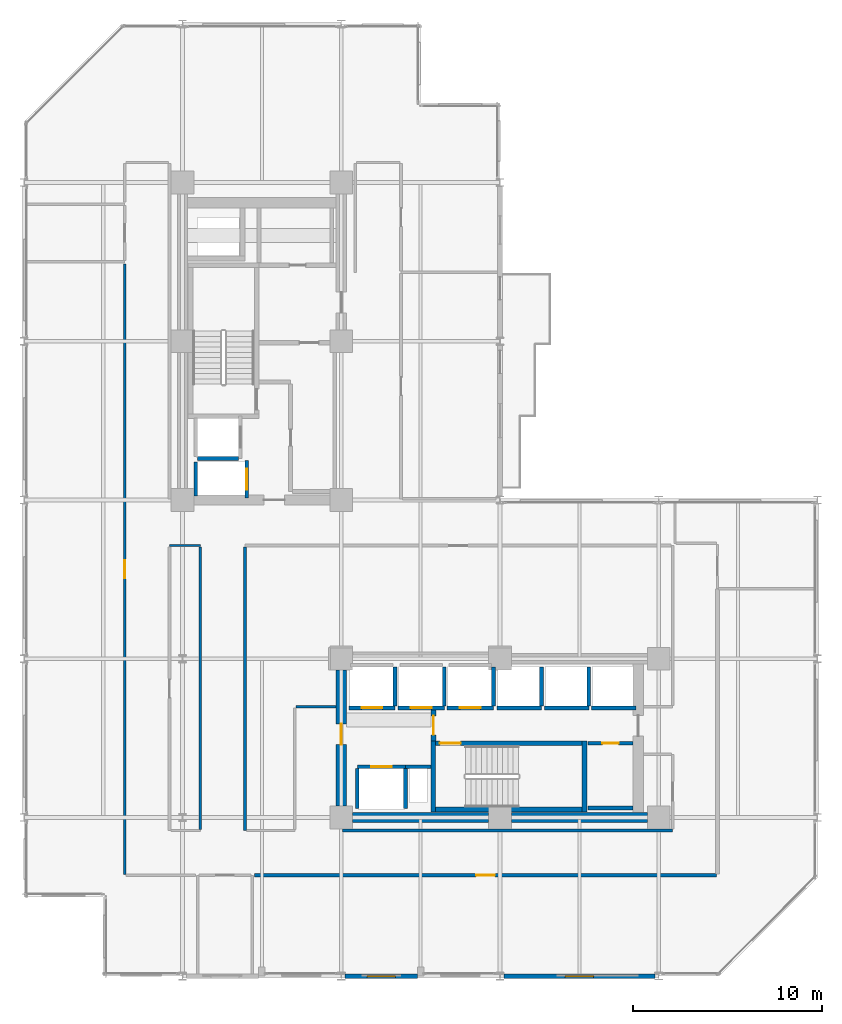
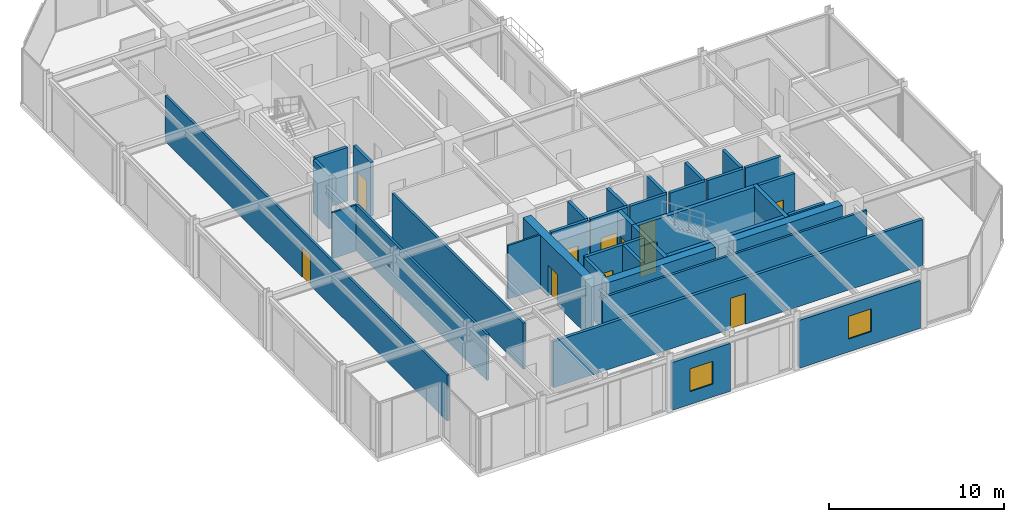
# One storey, part 24 of 29: 37 walls, 11 doors, 2 windows, 13 openings.
"""IFC4 building model written with IfcOpenShell, lengths in metres."""

import ifcopenshell
import ifcopenshell.guid

model = None  # the IFC model being written
_history = None  # IfcOwnerHistory: only IFC2X3 demands one
_inside = {}  # id of a spatial element -> (the spatial element, [elements in it])
_under = {}  # id of a project, library or spatial element -> (it, [spatial elements below it])
_declared = {}  # id of a project -> (the project, [libraries it declares])
_typed = {}  # id of a type object -> (the type object, [elements of that type])
_made_of = {}  # id of a material, layer set ... -> (it, [elements and type objects made of it])


def new_model(schema):
    """Start an empty IFC model of exactly this schema.

    Asked for "IFC4X3", IfcOpenShell would pick the latest addendum, in which some entities
    have other attributes; the version numbers below select the first issue.
    IFC2X3 requires an IfcOwnerHistory on every rooted entity: one is made here for all.
    """
    global model, _history
    if schema == "IFC4X3":
        model = ifcopenshell.file(schema_version=(4, 3, 0, 0))
    else:
        model = ifcopenshell.file(schema=schema)
    _inside.clear()
    _under.clear()
    _declared.clear()
    _typed.clear()
    _made_of.clear()
    _history = None
    if model.schema == "IFC2X3":
        org = make("IfcOrganization", Name="unknown")
        user = make(
            "IfcPersonAndOrganization",
            ThePerson=make("IfcPerson", FamilyName="unknown"),
            TheOrganization=org,
        )
        app = make(
            "IfcApplication",
            ApplicationDeveloper=org,
            Version="unknown",
            ApplicationFullName="unknown",
            ApplicationIdentifier="unknown",
        )
        _history = make(
            "IfcOwnerHistory",
            OwningUser=user,
            OwningApplication=app,
            ChangeAction="ADDED",
            CreationDate=0,
        )
    return model


def make(cls, **values):
    """One entity of the class cls with the attributes given. An attribute that is None is left unset."""
    return model.create_entity(
        cls, **{name: value for name, value in values.items() if value is not None}
    )


def rooted(cls, **values):
    """An entity with a GlobalId (a new one), such as an element, a storey or a relation."""
    return make(cls, GlobalId=ifcopenshell.guid.new(), OwnerHistory=_history, **values)


def si_unit(unit_type, name, prefix=None):
    """IfcSIUnit, for example si_unit("LENGTHUNIT", "METRE", prefix="MILLI")."""
    return make("IfcSIUnit", UnitType=unit_type, Prefix=prefix, Name=name)


def assignment(units):
    """IfcUnitAssignment: the units of a project."""
    return None if units is None else make("IfcUnitAssignment", Units=units)


def point(xyz):
    """IfcCartesianPoint."""
    return None if xyz is None else make("IfcCartesianPoint", Coordinates=xyz)


def direction(xyz):
    """IfcDirection."""
    return None if xyz is None else make("IfcDirection", DirectionRatios=xyz)


def frame(location, z_axis=None, x_axis=None):
    """IfcAxis2Placement3D, a coordinate frame: its origin and axes. An axis left out is left unset."""
    return make(
        "IfcAxis2Placement3D",
        Location=point(location),
        Axis=direction(z_axis),
        RefDirection=direction(x_axis),
    )


def frame_2d(location, x_axis=None):
    """IfcAxis2Placement2D, a coordinate frame in the plane: its origin and x axis."""
    return make(
        "IfcAxis2Placement2D", Location=point(location), RefDirection=direction(x_axis)
    )


def origin():
    """The frame at (0, 0, 0) with its axes left unset."""
    return frame((0.0, 0.0, 0.0))


def place(relative_to, where):
    """IfcLocalPlacement: puts the frame where relative to a parent placement (None: the world)."""
    return make(
        "IfcLocalPlacement", PlacementRelTo=relative_to, RelativePlacement=where
    )


def context(
    kind, dimensions, precision=None, world=None, true_north=None, identifier=None
):
    """IfcGeometricRepresentationContext, for example the 3D "Model" context."""
    return make(
        "IfcGeometricRepresentationContext",
        ContextIdentifier=identifier,
        ContextType=kind,
        CoordinateSpaceDimension=dimensions,
        Precision=precision,
        WorldCoordinateSystem=world,
        TrueNorth=true_north,
    )


def subcontext(parent, identifier, kind, view, scale=None):
    """IfcGeometricRepresentationSubContext, for example "Body" below "Model"."""
    return make(
        "IfcGeometricRepresentationSubContext",
        ContextIdentifier=identifier,
        ContextType=kind,
        ParentContext=parent,
        TargetScale=scale,
        TargetView=view,
    )


def project(units=None, contexts=None):
    """IfcProject with its units and contexts."""
    return rooted(
        "IfcProject",
        Name="project",
        RepresentationContexts=contexts,
        UnitsInContext=assignment(units),
    )


def spatial(cls, under=None, at=None, **own):
    """A site, building, storey or space (cls), placed at a placement, below another one or the project."""
    s = rooted(cls, ObjectPlacement=at, **own)
    if under is not None:
        _under.setdefault(under.id(), (under, []))[1].append(s)
    return s


def profile(cls, at=None, kind="AREA", **sizes):
    """A parametric profile (cls). Its sizes go by their IFC names, for example OverallWidth=200.0."""
    return make(cls, ProfileType=kind, Position=at, **sizes)


def rectangle(**sizes):
    """IfcRectangleProfileDef."""
    return profile("IfcRectangleProfileDef", **sizes)


def extrude(swept, where, along, depth):
    """IfcExtrudedAreaSolid: the profile swept, set in the frame where, extruded along a direction by depth."""
    return make(
        "IfcExtrudedAreaSolid",
        SweptArea=swept,
        Position=where,
        ExtrudedDirection=direction(along),
        Depth=depth,
    )


def shape(context_of_items, identifier, shape_type, items):
    """IfcShapeRepresentation: the items that make up one representation, for example the "Body"."""
    return make(
        "IfcShapeRepresentation",
        ContextOfItems=context_of_items,
        RepresentationIdentifier=identifier,
        RepresentationType=shape_type,
        Items=items,
    )


def material(Name=None, Category=None):
    """IfcMaterial."""
    return make("IfcMaterial", Name=Name, Category=Category)


def layer(
    of_material, thickness, ventilated=None, Name=None, Category=None, Priority=None
):
    """IfcMaterialLayer: one layer of a wall or slab, of a material (None: an air gap)."""
    return make(
        "IfcMaterialLayer",
        Material=of_material,
        LayerThickness=thickness,
        IsVentilated=ventilated,
        Name=Name,
        Category=Category,
        Priority=Priority,
    )


def layer_set(layers, Name=None):
    """IfcMaterialLayerSet."""
    return make("IfcMaterialLayerSet", MaterialLayers=layers, LayerSetName=Name)


def made_of(thing, what):
    """Note that an element or type object is made of a material, layer set ...; save() writes the relation."""
    if what is not None:
        _made_of.setdefault(what.id(), (what, []))[1].append(thing)
    return thing


def type_object(cls, material=None, **own):
    """A type object (cls), such as IfcWallType, which elements share."""
    return made_of(rooted(cls, **own), material)


def element(
    cls,
    number,
    at=None,
    inside=None,
    cuts=None,
    type_object=None,
    material=None,
    context=None,
    identifier="Body",
    shape_type=None,
    held_by="IfcProductDefinitionShape",
    body=None,
    shapes=None,
    **own,
):
    """One element of the class cls, such as IfcWall. Its Tag is "e" and its number.

    at: its placement. inside: the storey or other place that contains it. cuts: it is an
    opening in that element (IfcRelVoidsElement). A single representation is given by context,
    identifier, shape_type and body (its items); several are given by shapes. held_by: the class
    of the entity that holds the representations. save() writes the other relations.
    """
    e = rooted(cls, Tag="e%d" % number, ObjectPlacement=at, **own)
    if body is not None:
        shapes = [shape(context, identifier, shape_type, body)]
    if shapes is not None:
        e.Representation = make(held_by, Representations=shapes)
    if inside is not None:
        _inside.setdefault(inside.id(), (inside, []))[1].append(e)
    if cuts is not None:
        rooted(
            "IfcRelVoidsElement", RelatingBuildingElement=cuts, RelatedOpeningElement=e
        )
    if type_object is not None:
        _typed.setdefault(type_object.id(), (type_object, []))[1].append(e)
    return made_of(e, material)


def fill(opening, filler):
    """IfcRelFillsElement: the door or window that sits in an opening."""
    return rooted(
        "IfcRelFillsElement",
        RelatingOpeningElement=opening,
        RelatedBuildingElement=filler,
    )


def aggregate(whole, parts):
    """IfcRelAggregates: a whole, such as a stair, and the parts it consists of."""
    return rooted("IfcRelAggregates", RelatingObject=whole, RelatedObjects=parts)


def save(model, path):
    """Write the relations noted so far, then the file.

    IfcRelAggregates (storeys below a building ...), IfcRelContainedInSpatialStructure (elements
    in a storey), IfcRelDefinesByType, IfcRelAssociatesMaterial and IfcRelDeclares: one each for
    every whole, place, type object, material and project.
    """
    for whole, parts in _under.values():
        aggregate(whole, parts)
    for where, things in _inside.values():
        rooted(
            "IfcRelContainedInSpatialStructure",
            RelatedElements=things,
            RelatingStructure=where,
        )
    for kind, things in _typed.values():
        rooted("IfcRelDefinesByType", RelatedObjects=things, RelatingType=kind)
    for what, things in _made_of.values():
        rooted("IfcRelAssociatesMaterial", RelatedObjects=things, RelatingMaterial=what)
    for by, libraries in _declared.values():
        rooted("IfcRelDeclares", RelatingContext=by, RelatedDefinitions=libraries)
    model.write(path)


model = new_model("IFC4")

# Units and contexts
model_context = context("Model", 3, precision=1e-05, world=origin(), true_north=direction((0.0, 1.0)))
body_context = subcontext(model_context, "Body", "Model", "MODEL_VIEW")
ifc_project = project(units=[si_unit("LENGTHUNIT", "METRE"), si_unit("AREAUNIT", "SQUARE_METRE"), si_unit("VOLUMEUNIT", "CUBIC_METRE"), si_unit("PLANEANGLEUNIT", "RADIAN"), si_unit("MASSUNIT", "GRAM", prefix="KILO")], contexts=[model_context])

# Site, building, storey
site_placement = place(None, origin())
site = spatial("IfcSite", under=ifc_project, at=site_placement, CompositionType="ELEMENT")
building_placement = place(site_placement, origin())
building = spatial("IfcBuilding", under=site, at=building_placement, Name="Nerrivon Quay Data Exchange", CompositionType="ELEMENT")
storey_placement = place(building_placement, frame((0.0, 0.0, 158.199951171875)))
storey = spatial("IfcBuildingStorey", under=building, at=storey_placement, Name="L37", CompositionType="ELEMENT", Elevation=158.199951171875)

# Wall, opening, window
ifc_material_1 = material(Name="Architectural terracotta precast concrete N50 (50 MPa)", Category="masonry")
ifc_layer_1 = layer(ifc_material_1, 0.239990234375)
ifc_layer_set_1 = layer_set([ifc_layer_1], Name="Architectural terracotta precast concrete N50 (50 MPa)")
wall_type_1 = type_object("IfcWallType", Name="EW-PREC-240", PredefinedType="STANDARD", material=ifc_layer_set_1)
wall_1_placement = place(storey_placement, frame((33.39990234375, 0.0, 0.0), z_axis=(0.0, 0.0, 1.0), x_axis=(-1.0, 0.0, 0.0)))
wall_1 = element("IfcWall", 1, at=wall_1_placement, inside=storey, type_object=wall_type_1, Name="L37 Podium Precast Spandrel Wall 3", PredefinedType="STANDARD", context=body_context, shape_type="SweptSolid", body=[
    extrude(rectangle(XDim=8.0, YDim=0.239990234375, at=frame_2d((4.0, 0.0))), origin(), (0.0, 0.0, 1.0), 3.34716796875),
])
opening_1_placement = place(wall_1_placement, frame((3.25, 0.0, 0.89990234375)))
opening_1 = element("IfcOpeningElement", 2, at=opening_1_placement, cuts=wall_1, Name="Opening WN4", PredefinedType="OPENING", context=body_context, shape_type="SweptSolid", body=[
    extrude(rectangle(XDim=1.5, YDim=1.60009765625, at=frame_2d((0.75, 0.800048828125))), frame((0.0, 0.1298828125, 0.0), z_axis=(0.0, -1.0, 0.0), x_axis=(1.0, 0.0, 0.0)), (0.0, 0.0, 1.0), 0.260009765625),
])
ifc_material_2 = material(Name="Double-glazed low-E solar control glass", Category="glass")
window_type = type_object("IfcWindowType", Name="WIN-W4-1500x1600", PartitioningType="SINGLE_PANEL", PredefinedType="WINDOW", material=ifc_material_2)
window_1_placement = place(opening_1_placement, origin())
window_1 = element("IfcWindow", 3, at=window_1_placement, inside=storey, type_object=window_type, Name="L37 Solar Facade Window 3", OverallHeight=1.60009765625, OverallWidth=1.5, PartitioningType="SINGLE_PANEL", PredefinedType="WINDOW", context=body_context, shape_type="SweptSolid", body=[
    extrude(rectangle(XDim=1.5, YDim=1.60009765625, at=frame_2d((0.75, 0.800048828125))), frame((0.0, 0.030029296875, 0.0), z_axis=(0.0, -1.0, 0.0), x_axis=(1.0, 0.0, 0.0)), (0.0, 0.0, 1.0), 0.06005859375),
])
fill(opening_1, window_1)

wall_2_placement = place(storey_placement, frame((20.824951171875, 0.0, 0.0), z_axis=(0.0, 0.0, 1.0), x_axis=(-1.0, 0.0, 0.0)))
wall_2 = element("IfcWall", 4, at=wall_2_placement, inside=storey, type_object=wall_type_1, Name="L37 Podium Precast Spandrel Wall 5", PredefinedType="STANDARD", context=body_context, shape_type="SweptSolid", body=[
    extrude(rectangle(XDim=3.824951171875, YDim=0.239990234375, at=frame_2d((1.91259765625, 0.0))), origin(), (0.0, 0.0, 1.0), 3.34716796875),
])
opening_2_placement = place(wall_2_placement, frame((1.16259765625, 0.0, 0.89990234375)))
opening_2 = element("IfcOpeningElement", 5, at=opening_2_placement, cuts=wall_2, Name="Opening WN4", PredefinedType="OPENING", context=body_context, shape_type="SweptSolid", body=[
    extrude(rectangle(XDim=1.5, YDim=1.60009765625, at=frame_2d((0.75, 0.800048828125))), frame((0.0, 0.1298828125, 0.0), z_axis=(0.0, -1.0, 0.0), x_axis=(1.0, 0.0, 0.0)), (0.0, 0.0, 1.0), 0.260009765625),
])
window_2_placement = place(opening_2_placement, origin())
window_2 = element("IfcWindow", 6, at=window_2_placement, inside=storey, type_object=window_type, Name="L37 Solar Facade Window 5", OverallHeight=1.60009765625, OverallWidth=1.5, PartitioningType="SINGLE_PANEL", PredefinedType="WINDOW", context=body_context, shape_type="SweptSolid", body=[
    extrude(rectangle(XDim=1.5, YDim=1.60009765625, at=frame_2d((0.75, 0.800048828125))), frame((0.0, 0.030029296875, 0.0), z_axis=(0.0, -1.0, 0.0), x_axis=(1.0, 0.0, 0.0)), (0.0, 0.0, 1.0), 0.06005859375),
])
fill(opening_2, window_2)

# Walls
ifc_material_3 = material(Name="Concrete S65 (65 MPa)", Category="concrete")
ifc_layer_2 = layer(ifc_material_3, 0.550048828125)
ifc_layer_set_2 = layer_set([ifc_layer_2], Name="Concrete S65 (65 MPa)")
wall_type_2 = type_object("IfcWallType", Name="WALL-CW-700", PredefinedType="SHEAR", material=ifc_layer_set_2)
wall_3_placement = place(storey_placement, frame((17.39990234375, 8.39990234375, 0.0), z_axis=(0.0, 0.0, 1.0), x_axis=(1.0, 0.0, 0.0)))
element("IfcWall", 7, at=wall_3_placement, inside=storey, type_object=wall_type_2, Name="L37 East Split-Core Shear Wall ECW-S1", PredefinedType="SHEAR", context=body_context, shape_type="SweptSolid", body=[
    extrude(rectangle(XDim=7.2001953125, YDim=0.550048828125, at=frame_2d((3.60009765625, 0.0))), origin(), (0.0, 0.0, 1.0), 3.75),
])
wall_4_placement = place(storey_placement, frame((25.800048828125, 8.39990234375, 0.0), z_axis=(0.0, 0.0, 1.0), x_axis=(1.0, 0.0, 0.0)))
element("IfcWall", 8, at=wall_4_placement, inside=storey, type_object=wall_type_2, Name="L37 East Split-Core Shear Wall ECW-S2", PredefinedType="SHEAR", context=body_context, shape_type="SweptSolid", body=[
    extrude(rectangle(XDim=7.199951171875, YDim=0.550048828125, at=frame_2d((3.60009765625, 0.0))), origin(), (0.0, 0.0, 1.0), 3.75),
])

# Wall, opening, door
wall_5_placement = place(storey_placement, frame((16.800048828125, 9.0, 0.0), z_axis=(0.0, 0.0, 1.0), x_axis=(0.0, 1.0, 0.0)))
wall_5 = element("IfcWall", 9, at=wall_5_placement, inside=storey, type_object=wall_type_2, Name="L37 East Split-Core Shear Wall ECW-W1", PredefinedType="SHEAR", context=body_context, shape_type="SweptSolid", body=[
    extrude(rectangle(XDim=7.199951171875, YDim=0.550048828125, at=frame_2d((3.60009765625, 0.0))), origin(), (0.0, 0.0, 1.0), 3.75),
])
opening_3_placement = place(wall_5_placement, frame((3.25, 0.0, 0.0)))
opening_3 = element("IfcOpeningElement", 10, at=opening_3_placement, cuts=wall_5, Name="Opening FD-120", PredefinedType="OPENING", context=body_context, shape_type="SweptSolid", body=[
    extrude(rectangle(XDim=1.10009765625, YDim=2.14990234375, at=frame_2d((0.550048828125, 1.074951171875))), frame((0.0, 0.284912109375, 0.0), z_axis=(0.0, -1.0, 0.0), x_axis=(1.0, 0.0, 0.0)), (0.0, 0.0, 1.0), 0.570068359375),
])
ifc_material_4 = material(Name="Powder-coated galvanized steel sheet", Category="steel")
door_type_1 = type_object("IfcDoorType", Name="DR-FD120-1100", OperationType="NOTDEFINED", PredefinedType="DOOR", material=ifc_material_4)
door_1_placement = place(opening_3_placement, origin())
door_1 = element("IfcDoor", 11, at=door_1_placement, inside=storey, type_object=door_type_1, Name="L37 East Core Lobby Fire Door", OperationType="SINGLE_SWING_RIGHT", OverallHeight=2.14990234375, OverallWidth=1.10009765625, PredefinedType="DOOR", context=body_context, shape_type="SweptSolid", body=[
    extrude(rectangle(XDim=1.10009765625, YDim=2.14990234375, at=frame_2d((0.550048828125, 1.074951171875))), frame((0.0, 0.02490234375, 0.0), z_axis=(0.0, -1.0, 0.0), x_axis=(1.0, 0.0, 0.0)), (0.0, 0.0, 1.0), 0.050048828125),
])
fill(opening_3, door_1)

# Walls
ifc_material_5 = material(Name="Gypsum plasterboard on cold-formed framing", Category="gypsum")
ifc_layer_3 = layer(ifc_material_5, 0.199951171875)
ifc_layer_set_3 = layer_set([ifc_layer_3], Name="Gypsum plasterboard on cold-formed framing")
wall_type_3 = type_object("IfcWallType", Name="WALL-FW-200", PredefinedType="PARTITIONING", material=ifc_layer_set_3)
wall_6_placement = place(storey_placement, frame((20.199951171875, 11.080078125, 0.0), z_axis=(0.0, 0.0, 1.0), x_axis=(1.0, 0.0, 0.0)))
element("IfcWall", 12, at=wall_6_placement, inside=storey, type_object=wall_type_3, Name="L37 East Core MEP Riser Shaft Wall N", PredefinedType="PARTITIONING", context=body_context, shape_type="SweptSolid", body=[
    extrude(rectangle(XDim=1.35009765625, YDim=0.199951171875, at=frame_2d((0.675048828125, 0.0))), origin(), (0.0, 0.0, 1.0), 3.75),
])
wall_7_placement = place(storey_placement, frame((9.199951171875, 27.39990234375, 0.0), z_axis=(0.0, 0.0, 1.0), x_axis=(1.0, 0.0, 0.0)))
element("IfcWall", 13, at=wall_7_placement, inside=storey, type_object=wall_type_3, Name="L37 Lift Shaft Wall FFL-1 SOUTH", PredefinedType="PARTITIONING", context=body_context, shape_type="SweptSolid", body=[
    extrude(rectangle(XDim=2.150146484375, YDim=0.199951171875, at=frame_2d((1.0751953125, 0.0))), origin(), (0.0, 0.0, 1.0), 3.75),
])

# Wall, opening, door
wall_8_placement = place(storey_placement, frame((11.800048828125, 25.300048828125, 0.0), z_axis=(0.0, 0.0, 1.0), x_axis=(0.0, 1.0, 0.0)))
wall_8 = element("IfcWall", 14, at=wall_8_placement, inside=storey, type_object=wall_type_3, Name="L37 Lift Front Wall SVL-1", PredefinedType="PARTITIONING", context=body_context, shape_type="SweptSolid", body=[
    extrude(rectangle(XDim=2.0, YDim=0.199951171875, at=frame_2d((1.0, 0.0))), origin(), (0.0, 0.0, 1.0), 3.75),
])
opening_4_placement = place(wall_8_placement, frame((0.449951171875, 0.0, 0.0)))
opening_4 = element("IfcOpeningElement", 15, at=opening_4_placement, cuts=wall_8, Name="Opening LD-120", PredefinedType="OPENING", context=body_context, shape_type="SweptSolid", body=[
    extrude(rectangle(XDim=1.10009765625, YDim=2.199951171875, at=frame_2d((0.550048828125, 1.10009765625))), frame((0.0, 0.10986328125, 0.0), z_axis=(0.0, -1.0, 0.0), x_axis=(1.0, 0.0, 0.0)), (0.0, 0.0, 1.0), 0.219970703125),
])
door_type_2 = type_object("IfcDoorType", Name="DR-LIFT-LD120", OperationType="DOUBLE_DOOR_SLIDING", PredefinedType="DOOR", material=ifc_material_4)
door_2_placement = place(opening_4_placement, origin())
door_2 = element("IfcDoor", 16, at=door_2_placement, inside=storey, type_object=door_type_2, Name="L37 Lift Landing Sliding Door SVL-1", OperationType="DOUBLE_DOOR_SLIDING", OverallHeight=2.199951171875, OverallWidth=1.10009765625, PredefinedType="DOOR", context=body_context, shape_type="SweptSolid", body=[
    extrude(rectangle(XDim=1.10009765625, YDim=2.199951171875, at=frame_2d((0.550048828125, 1.10009765625))), frame((0.0, 0.02490234375, 0.0), z_axis=(0.0, -1.0, 0.0), x_axis=(1.0, 0.0, 0.0)), (0.0, 0.0, 1.0), 0.050048828125),
])
fill(opening_4, door_2)

# Wall
wall_9_placement = place(storey_placement, frame((9.10009765625, 25.39990234375, 0.0), z_axis=(0.0, 0.0, 1.0), x_axis=(0.0, 1.0, 0.0)))
element("IfcWall", 17, at=wall_9_placement, inside=storey, type_object=wall_type_3, Name="L37 Lift Shaft Wall SVL-1 WEST", PredefinedType="PARTITIONING", context=body_context, shape_type="SweptSolid", body=[
    extrude(rectangle(XDim=1.800048828125, YDim=0.199951171875, at=frame_2d((0.89990234375, 0.0))), origin(), (0.0, 0.0, 1.0), 3.75),
])

# Wall, opening, door
wall_10_placement = place(storey_placement, frame((17.64990234375, 11.080078125, 0.0), z_axis=(0.0, 0.0, 1.0), x_axis=(1.0, 0.0, 0.0)))
wall_10 = element("IfcWall", 18, at=wall_10_placement, inside=storey, type_object=wall_type_3, Name="L37 Lift Front Wall FFL-2", PredefinedType="PARTITIONING", context=body_context, shape_type="SweptSolid", body=[
    extrude(rectangle(XDim=2.550048828125, YDim=0.199951171875, at=frame_2d((1.27490234375, 0.0))), origin(), (0.0, 0.0, 1.0), 3.75),
])
opening_5_placement = place(wall_10_placement, frame((0.72509765625, 0.0, 0.0)))
opening_5 = element("IfcOpeningElement", 19, at=opening_5_placement, cuts=wall_10, Name="Opening LD-120", PredefinedType="OPENING", context=body_context, shape_type="SweptSolid", body=[
    extrude(rectangle(XDim=1.10009765625, YDim=2.199951171875, at=frame_2d((0.550048828125, 1.10009765625))), frame((0.0, 0.10986328125, 0.0), z_axis=(0.0, -1.0, 0.0), x_axis=(1.0, 0.0, 0.0)), (0.0, 0.0, 1.0), 0.219970703125),
])
door_3_placement = place(opening_5_placement, origin())
door_3 = element("IfcDoor", 20, at=door_3_placement, inside=storey, type_object=door_type_2, Name="L37 Lift Landing Sliding Door FFL-2", OperationType="DOUBLE_DOOR_SLIDING", OverallHeight=2.199951171875, OverallWidth=1.10009765625, PredefinedType="DOOR", context=body_context, shape_type="SweptSolid", body=[
    extrude(rectangle(XDim=1.10009765625, YDim=2.199951171875, at=frame_2d((0.550048828125, 1.10009765625))), frame((0.0, 0.02490234375, 0.0), z_axis=(0.0, -1.0, 0.0), x_axis=(1.0, 0.0, 0.0)), (0.0, 0.0, 1.0), 0.050048828125),
])
fill(opening_5, door_3)

# Walls
for number, where, z_axis, x_axis, name in (
    (21, (20.199951171875, 8.8798828125, 0.0), (0.0, 0.0, 1.0), (0.0, 1.0, 0.0), "L37 Lift Shaft Wall FFL-2 EAST"),
    (22, (17.64990234375, 8.8798828125, 0.0), (0.0, 0.0, 1.0), (0.0, 1.0, 0.0), "L37 Lift Shaft Wall FFL-2 WEST"),
):
    element("IfcWall", number, at=place(storey_placement, frame(where, z_axis=z_axis, x_axis=x_axis)), inside=storey, type_object=wall_type_3, Name=name, PredefinedType="PARTITIONING", context=body_context, shape_type="SweptSolid", body=[
        extrude(rectangle(XDim=2.10009765625, YDim=0.199951171875, at=frame_2d((1.050048828125, 0.0))), origin(), (0.0, 0.0, 1.0), 3.75),
    ])

# Wall, opening, door
wall_11_placement = place(storey_placement, frame((17.199951171875, 14.199951171875, 0.0), z_axis=(0.0, 0.0, 1.0), x_axis=(1.0, 0.0, 0.0)))
wall_11 = element("IfcWall", 23, at=wall_11_placement, inside=storey, type_object=wall_type_3, Name="L37 Lift Front Wall PL4", PredefinedType="PARTITIONING", context=body_context, shape_type="SweptSolid", body=[
    extrude(rectangle(XDim=2.449951171875, YDim=0.199951171875, at=frame_2d((1.22509765625, 0.0))), origin(), (0.0, 0.0, 1.0), 3.75),
])
opening_6_placement = place(wall_11_placement, frame((0.675048828125, 0.0, 0.0)))
opening_6 = element("IfcOpeningElement", 24, at=opening_6_placement, cuts=wall_11, Name="Opening LD-120", PredefinedType="OPENING", context=body_context, shape_type="SweptSolid", body=[
    extrude(rectangle(XDim=1.10009765625, YDim=2.199951171875, at=frame_2d((0.550048828125, 1.10009765625))), frame((0.0, 0.10986328125, 0.0), z_axis=(0.0, -1.0, 0.0), x_axis=(1.0, 0.0, 0.0)), (0.0, 0.0, 1.0), 0.219970703125),
])
door_4_placement = place(opening_6_placement, origin())
door_4 = element("IfcDoor", 25, at=door_4_placement, inside=storey, type_object=door_type_2, Name="L37 Lift Landing Sliding Door PL4", OperationType="DOUBLE_DOOR_SLIDING", OverallHeight=2.199951171875, OverallWidth=1.10009765625, PredefinedType="DOOR", context=body_context, shape_type="SweptSolid", body=[
    extrude(rectangle(XDim=1.10009765625, YDim=2.199951171875, at=frame_2d((0.550048828125, 1.10009765625))), frame((0.0, 0.02490234375, 0.0), z_axis=(0.0, -1.0, 0.0), x_axis=(1.0, 0.0, 0.0)), (0.0, 0.0, 1.0), 0.050048828125),
])
fill(opening_6, door_4)

# Wall
wall_12_placement = place(storey_placement, frame((19.64990234375, 14.300048828125, 0.0), z_axis=(0.0, 0.0, 1.0), x_axis=(0.0, 1.0, 0.0)))
element("IfcWall", 26, at=wall_12_placement, inside=storey, type_object=wall_type_3, Name="L37 Lift Shaft Wall PL4 EAST", PredefinedType="PARTITIONING", context=body_context, shape_type="SweptSolid", body=[
    extrude(rectangle(XDim=2.050048828125, YDim=0.199951171875, at=frame_2d((1.02490234375, 0.0))), origin(), (0.0, 0.0, 1.0), 3.75),
])

# Wall, opening, door
wall_13_placement = place(storey_placement, frame((19.800048828125, 14.199951171875, 0.0), z_axis=(0.0, 0.0, 1.0), x_axis=(1.0, 0.0, 0.0)))
wall_13 = element("IfcWall", 27, at=wall_13_placement, inside=storey, type_object=wall_type_3, Name="L37 Lift Front Wall PL5", PredefinedType="PARTITIONING", context=body_context, shape_type="SweptSolid", body=[
    extrude(rectangle(XDim=2.449951171875, YDim=0.199951171875, at=frame_2d((1.22509765625, 0.0))), origin(), (0.0, 0.0, 1.0), 3.75),
])
opening_7_placement = place(wall_13_placement, frame((0.675048828125, 0.0, 0.0)))
opening_7 = element("IfcOpeningElement", 28, at=opening_7_placement, cuts=wall_13, Name="Opening LD-120", PredefinedType="OPENING", context=body_context, shape_type="SweptSolid", body=[
    extrude(rectangle(XDim=1.10009765625, YDim=2.199951171875, at=frame_2d((0.550048828125, 1.10009765625))), frame((0.0, 0.10986328125, 0.0), z_axis=(0.0, -1.0, 0.0), x_axis=(1.0, 0.0, 0.0)), (0.0, 0.0, 1.0), 0.219970703125),
])
door_5_placement = place(opening_7_placement, origin())
door_5 = element("IfcDoor", 29, at=door_5_placement, inside=storey, type_object=door_type_2, Name="L37 Lift Landing Sliding Door PL5", OperationType="DOUBLE_DOOR_SLIDING", OverallHeight=2.199951171875, OverallWidth=1.10009765625, PredefinedType="DOOR", context=body_context, shape_type="SweptSolid", body=[
    extrude(rectangle(XDim=1.10009765625, YDim=2.199951171875, at=frame_2d((0.550048828125, 1.10009765625))), frame((0.0, 0.02490234375, 0.0), z_axis=(0.0, -1.0, 0.0), x_axis=(1.0, 0.0, 0.0)), (0.0, 0.0, 1.0), 0.050048828125),
])
fill(opening_7, door_5)

# Wall
wall_14_placement = place(storey_placement, frame((22.25, 14.300048828125, 0.0), z_axis=(0.0, 0.0, 1.0), x_axis=(0.0, 1.0, 0.0)))
element("IfcWall", 30, at=wall_14_placement, inside=storey, type_object=wall_type_3, Name="L37 Lift Shaft Wall PL5 EAST", PredefinedType="PARTITIONING", context=body_context, shape_type="SweptSolid", body=[
    extrude(rectangle(XDim=2.050048828125, YDim=0.199951171875, at=frame_2d((1.02490234375, 0.0))), origin(), (0.0, 0.0, 1.0), 3.75),
])

# Wall, opening, door
wall_15_placement = place(storey_placement, frame((22.39990234375, 14.199951171875, 0.0), z_axis=(0.0, 0.0, 1.0), x_axis=(1.0, 0.0, 0.0)))
wall_15 = element("IfcWall", 31, at=wall_15_placement, inside=storey, type_object=wall_type_3, Name="L37 Lift Front Wall PL6", PredefinedType="PARTITIONING", context=body_context, shape_type="SweptSolid", body=[
    extrude(rectangle(XDim=2.4501953125, YDim=0.199951171875, at=frame_2d((1.22509765625, 0.0))), origin(), (0.0, 0.0, 1.0), 3.75),
])
opening_8_placement = place(wall_15_placement, frame((0.675048828125, 0.0, 0.0)))
opening_8 = element("IfcOpeningElement", 32, at=opening_8_placement, cuts=wall_15, Name="Opening LD-120", PredefinedType="OPENING", context=body_context, shape_type="SweptSolid", body=[
    extrude(rectangle(XDim=1.10009765625, YDim=2.199951171875, at=frame_2d((0.550048828125, 1.10009765625))), frame((0.0, 0.10986328125, 0.0), z_axis=(0.0, -1.0, 0.0), x_axis=(1.0, 0.0, 0.0)), (0.0, 0.0, 1.0), 0.219970703125),
])
door_6_placement = place(opening_8_placement, origin())
door_6 = element("IfcDoor", 33, at=door_6_placement, inside=storey, type_object=door_type_2, Name="L37 Lift Landing Sliding Door PL6", OperationType="DOUBLE_DOOR_SLIDING", OverallHeight=2.199951171875, OverallWidth=1.10009765625, PredefinedType="DOOR", context=body_context, shape_type="SweptSolid", body=[
    extrude(rectangle(XDim=1.10009765625, YDim=2.199951171875, at=frame_2d((0.550048828125, 1.10009765625))), frame((0.0, 0.02490234375, 0.0), z_axis=(0.0, -1.0, 0.0), x_axis=(1.0, 0.0, 0.0)), (0.0, 0.0, 1.0), 0.050048828125),
])
fill(opening_8, door_6)

# Walls
wall_16_placement = place(storey_placement, frame((24.85009765625, 14.300048828125, 0.0), z_axis=(0.0, 0.0, 1.0), x_axis=(0.0, 1.0, 0.0)))
element("IfcWall", 34, at=wall_16_placement, inside=storey, type_object=wall_type_3, Name="L37 Lift Shaft Wall PL6 EAST", PredefinedType="PARTITIONING", context=body_context, shape_type="SweptSolid", body=[
    extrude(rectangle(XDim=2.050048828125, YDim=0.199951171875, at=frame_2d((1.02490234375, 0.0))), origin(), (0.0, 0.0, 1.0), 3.75),
])
wall_17_placement = place(storey_placement, frame((25.050048828125, 14.199951171875, 0.0), z_axis=(0.0, 0.0, 1.0), x_axis=(1.0, 0.0, 0.0)))
element("IfcWall", 35, at=wall_17_placement, inside=storey, type_object=wall_type_3, Name="L37 Lift Front Wall PL7", PredefinedType="PARTITIONING", context=body_context, shape_type="SweptSolid", body=[
    extrude(rectangle(XDim=2.349853515625, YDim=0.199951171875, at=frame_2d((1.1748046875, 0.0))), origin(), (0.0, 0.0, 1.0), 3.75),
])
wall_18_placement = place(storey_placement, frame((27.39990234375, 14.300048828125, 0.0), z_axis=(0.0, 0.0, 1.0), x_axis=(0.0, 1.0, 0.0)))
element("IfcWall", 36, at=wall_18_placement, inside=storey, type_object=wall_type_3, Name="L37 Lift Shaft Wall PL7 EAST", PredefinedType="PARTITIONING", context=body_context, shape_type="SweptSolid", body=[
    extrude(rectangle(XDim=2.050048828125, YDim=0.199951171875, at=frame_2d((1.02490234375, 0.0))), origin(), (0.0, 0.0, 1.0), 3.75),
])
wall_19_placement = place(storey_placement, frame((27.550048828125, 14.199951171875, 0.0), z_axis=(0.0, 0.0, 1.0), x_axis=(1.0, 0.0, 0.0)))
element("IfcWall", 37, at=wall_19_placement, inside=storey, type_object=wall_type_3, Name="L37 Lift Front Wall PL8", PredefinedType="PARTITIONING", context=body_context, shape_type="SweptSolid", body=[
    extrude(rectangle(XDim=2.349853515625, YDim=0.199951171875, at=frame_2d((1.1748046875, 0.0))), origin(), (0.0, 0.0, 1.0), 3.75),
])
wall_20_placement = place(storey_placement, frame((29.89990234375, 14.300048828125, 0.0), z_axis=(0.0, 0.0, 1.0), x_axis=(0.0, 1.0, 0.0)))
element("IfcWall", 38, at=wall_20_placement, inside=storey, type_object=wall_type_3, Name="L37 Lift Shaft Wall PL8 EAST", PredefinedType="PARTITIONING", context=body_context, shape_type="SweptSolid", body=[
    extrude(rectangle(XDim=2.050048828125, YDim=0.199951171875, at=frame_2d((1.02490234375, 0.0))), origin(), (0.0, 0.0, 1.0), 3.75),
])
wall_21_placement = place(storey_placement, frame((30.050048828125, 14.199951171875, 0.0), z_axis=(0.0, 0.0, 1.0), x_axis=(1.0, 0.0, 0.0)))
element("IfcWall", 39, at=wall_21_placement, inside=storey, type_object=wall_type_3, Name="L37 Lift Front Wall PL9", PredefinedType="PARTITIONING", context=body_context, shape_type="SweptSolid", body=[
    extrude(rectangle(XDim=2.349853515625, YDim=0.199951171875, at=frame_2d((1.1748046875, 0.0))), origin(), (0.0, 0.0, 1.0), 3.75),
])

# Wall, opening, door
wall_22_placement = place(storey_placement, frame((32.24609375, 12.330078125, 0.0), z_axis=(0.0, 0.0, 1.0), x_axis=(-1.0, 0.0, 0.0)))
wall_22 = element("IfcWall", 40, at=wall_22_placement, inside=storey, type_object=wall_type_3, Name="L37 Partition East Telecom Closet", PredefinedType="PARTITIONING", context=body_context, shape_type="SweptSolid", body=[
    extrude(rectangle(XDim=2.39599609375, YDim=0.199951171875, at=frame_2d((1.197998046875, 0.0))), origin(), (0.0, 0.0, 1.0), 3.75),
])
opening_9_placement = place(wall_22_placement, frame((0.77294921875, 0.0, 0.0)))
opening_9 = element("IfcOpeningElement", 41, at=opening_9_placement, cuts=wall_22, Name="Opening FD-60S", PredefinedType="OPENING", context=body_context, shape_type="SweptSolid", body=[
    extrude(rectangle(XDim=0.85009765625, YDim=2.14990234375, at=frame_2d((0.425048828125, 1.074951171875))), frame((0.0, 0.10986328125, 0.0), z_axis=(0.0, -1.0, 0.0), x_axis=(1.0, 0.0, 0.0)), (0.0, 0.0, 1.0), 0.219970703125),
])
ifc_material_6 = material(Name="Engineered hardwood timber", Category="wood")
door_type_3 = type_object("IfcDoorType", Name="DR-FD60-850", OperationType="NOTDEFINED", PredefinedType="DOOR", material=ifc_material_6)
door_7_placement = place(opening_9_placement, origin())
door_7 = element("IfcDoor", 42, at=door_7_placement, inside=storey, type_object=door_type_3, Name="L37 Door East Telecom Closet", OperationType="SINGLE_SWING_LEFT", OverallHeight=2.14990234375, OverallWidth=0.85009765625, PredefinedType="DOOR", context=body_context, shape_type="SweptSolid", body=[
    extrude(rectangle(XDim=0.85009765625, YDim=2.14990234375, at=frame_2d((0.425048828125, 1.074951171875))), frame((0.0, 0.02490234375, 0.0), z_axis=(0.0, -1.0, 0.0), x_axis=(1.0, 0.0, 0.0)), (0.0, 0.0, 1.0), 0.050048828125),
])
fill(opening_9, door_7)

# Wall
wall_23_placement = place(storey_placement, frame((29.85009765625, 8.89990234375, 0.0), z_axis=(0.0, 0.0, 1.0), x_axis=(1.0, 0.0, 0.0)))
element("IfcWall", 43, at=wall_23_placement, inside=storey, type_object=wall_type_3, Name="L37 Partition East Telecom Closet", PredefinedType="PARTITIONING", context=body_context, shape_type="SweptSolid", body=[
    extrude(rectangle(XDim=2.39599609375, YDim=0.199951171875, at=frame_2d((1.197998046875, 0.0))), origin(), (0.0, 0.0, 1.0), 3.75),
])

# Wall, opening, door
wall_24_placement = place(storey_placement, frame((36.64990234375, 5.340087890625, 0.0), z_axis=(0.0, 0.0, 1.0), x_axis=(-1.0, 0.0, 0.0)))
wall_24 = element("IfcWall", 44, at=wall_24_placement, inside=storey, type_object=wall_type_3, Name="L37 Partition Colocation Data Workspace 1", PredefinedType="PARTITIONING", context=body_context, shape_type="SweptSolid", body=[
    extrude(rectangle(XDim=24.429931640625, YDim=0.199951171875, at=frame_2d((12.21484375, 0.0))), origin(), (0.0, 0.0, 1.0), 3.22216796875),
])
opening_10_placement = place(wall_24_placement, frame((11.715087890625, 0.0, 0.0)))
opening_10 = element("IfcOpeningElement", 45, at=opening_10_placement, cuts=wall_24, Name="Opening FD-60", PredefinedType="OPENING", context=body_context, shape_type="SweptSolid", body=[
    extrude(rectangle(XDim=1.0, YDim=2.14990234375, at=frame_2d((0.5, 1.074951171875))), frame((0.0, 0.10986328125, 0.0), z_axis=(0.0, -1.0, 0.0), x_axis=(1.0, 0.0, 0.0)), (0.0, 0.0, 1.0), 0.219970703125),
])
door_type_4 = type_object("IfcDoorType", Name="DR-FD60-1000", OperationType="NOTDEFINED", PredefinedType="DOOR", material=ifc_material_6)
door_8_placement = place(opening_10_placement, origin())
door_8 = element("IfcDoor", 46, at=door_8_placement, inside=storey, type_object=door_type_4, Name="L37 Door Colocation Data Workspace 1", OperationType="SINGLE_SWING_LEFT", OverallHeight=2.14990234375, OverallWidth=1.0, PredefinedType="DOOR", context=body_context, shape_type="SweptSolid", body=[
    extrude(rectangle(XDim=1.0, YDim=2.14990234375, at=frame_2d((0.5, 1.074951171875))), frame((0.0, 0.02490234375, 0.0), z_axis=(0.0, -1.0, 0.0), x_axis=(1.0, 0.0, 0.0)), (0.0, 0.0, 1.0), 0.050048828125),
])
fill(opening_10, door_8)

# Walls
ifc_layer_4 = layer(ifc_material_5, 0.1201171875)
ifc_layer_set_4 = layer_set([ifc_layer_4], Name="Gypsum plasterboard on cold-formed framing")
wall_type_4 = type_object("IfcWallType", Name="WALL-PT-120", PredefinedType="PARTITIONING", material=ifc_layer_set_4)
wall_25_placement = place(storey_placement, frame((9.340087890625, 22.7900390625, 0.0), z_axis=(0.0, 0.0, 1.0), x_axis=(-1.0, 0.0, 0.0)))
element("IfcWall", 47, at=wall_25_placement, inside=storey, type_object=wall_type_4, Name="L37 Partition Client Conference Room 1", PredefinedType="PARTITIONING", context=body_context, shape_type="SweptSolid", body=[
    extrude(rectangle(XDim=1.630126953125, YDim=0.1201171875, at=frame_2d((0.81494140625, 0.0))), origin(), (0.0, 0.0, 1.0), 3.22216796875),
])
wall_26_placement = place(storey_placement, frame((14.39990234375, 14.260009765625, 0.0), z_axis=(0.0, 0.0, 1.0), x_axis=(1.0, 0.0, 0.0)))
element("IfcWall", 48, at=wall_26_placement, inside=storey, type_object=wall_type_4, Name="L37 Partition Peering Huddle Meeting Room", PredefinedType="PARTITIONING", context=body_context, shape_type="SweptSolid", body=[
    extrude(rectangle(XDim=2.12109375, YDim=0.1201171875, at=frame_2d((1.060546875, 0.0))), origin(), (0.0, 0.0, 1.0), 3.75),
])
ifc_layer_5 = layer(ifc_material_5, 0.14990234375)
ifc_layer_set_5 = layer_set([ifc_layer_5], Name="Gypsum plasterboard on cold-formed framing")
wall_type_5 = type_object("IfcWallType", Name="WALL-PT-150", PredefinedType="PARTITIONING", material=ifc_layer_set_5)
wall_27_placement = place(storey_placement, frame((16.860107421875, 7.7099609375, 0.0), z_axis=(0.0, 0.0, 1.0), x_axis=(1.0, 0.0, 0.0)))
element("IfcWall", 49, at=wall_27_placement, inside=storey, type_object=wall_type_5, Name="L37 Partition Staff Pantry", PredefinedType="PARTITIONING", context=body_context, shape_type="SweptSolid", body=[
    extrude(rectangle(XDim=17.47998046875, YDim=0.14990234375, at=frame_2d((8.739990234375, 0.0))), origin(), (0.0, 0.0, 1.0), 3.22216796875),
])
wall_28_placement = place(storey_placement, frame((9.340087890625, 7.77392578125, 0.0), z_axis=(0.0, 0.0, 1.0), x_axis=(0.0, 1.0, 0.0)))
element("IfcWall", 50, at=wall_28_placement, inside=storey, type_object=wall_type_5, Name="L37 Partition Client Conference Room 1", PredefinedType="PARTITIONING", context=body_context, shape_type="SweptSolid", body=[
    extrude(rectangle(XDim=14.9521484375, YDim=0.14990234375, at=frame_2d((7.47607421875, 0.0))), origin(), (0.0, 0.0, 1.0), 3.217041015625),
])
wall_29_placement = place(storey_placement, frame((11.7099609375, 22.7109375, 0.0), z_axis=(0.0, 0.0, 1.0), x_axis=(0.0, -1.0, 0.0)))
element("IfcWall", 51, at=wall_29_placement, inside=storey, type_object=wall_type_5, Name="L37 Partition Peering Huddle Meeting Room", PredefinedType="PARTITIONING", context=body_context, shape_type="SweptSolid", body=[
    extrude(rectangle(XDim=15.0009765625, YDim=0.14990234375, at=frame_2d((7.50048828125, 0.0))), origin(), (0.0, 0.0, 1.0), 3.217041015625),
])

# Wall, opening, door
wall_30_placement = place(storey_placement, frame((5.34033203125, 5.39404296875, 0.0), z_axis=(0.0, 0.0, 1.0), x_axis=(-7.561837e-06, 0.999999999971, 0.0)))
wall_30 = element("IfcWall", 52, at=wall_30_placement, inside=storey, type_object=wall_type_5, Name="L37 Partition Technical Library", PredefinedType="PARTITIONING", context=body_context, shape_type="SweptSolid", body=[
    extrude(rectangle(XDim=32.285888671875, YDim=0.14990234375, at=frame_2d((16.14306640625, 0.0))), origin(), (0.0, 0.0, 1.0), 3.217041015625),
])
opening_11_placement = place(wall_30_placement, frame((15.66796875, 0.0, 0.0)))
opening_11 = element("IfcOpeningElement", 53, at=opening_11_placement, cuts=wall_30, Name="Opening D-01", PredefinedType="OPENING", context=body_context, shape_type="SweptSolid", body=[
    extrude(rectangle(XDim=0.949951171875, YDim=2.14990234375, at=frame_2d((0.47509765625, 1.074951171875))), frame((0.0, 0.0849609375, 0.0), z_axis=(0.0, -1.0, 0.0), x_axis=(1.0, 0.0, 0.0)), (0.0, 0.0, 1.0), 0.169921875),
])
door_type_5 = type_object("IfcDoorType", Name="DR-INT-950", OperationType="NOTDEFINED", PredefinedType="DOOR", material=ifc_material_6)
door_9_placement = place(opening_11_placement, origin())
door_9 = element("IfcDoor", 54, at=door_9_placement, inside=storey, type_object=door_type_5, Name="L37 Door Technical Library", OperationType="SINGLE_SWING_LEFT", OverallHeight=2.14990234375, OverallWidth=0.949951171875, PredefinedType="DOOR", context=body_context, shape_type="SweptSolid", body=[
    extrude(rectangle(XDim=0.949951171875, YDim=2.14990234375, at=frame_2d((0.47509765625, 1.074951171875))), frame((0.0, 0.02490234375, 0.0), z_axis=(0.0, -1.0, 0.0), x_axis=(1.0, 0.0, 0.0)), (0.0, 0.0, 1.0), 0.050048828125),
])
fill(opening_11, door_9)

# Walls
ifc_material_7 = material(Name="Concrete N50 (50 MPa)", Category="concrete")
ifc_layer_6 = layer(ifc_material_7, 0.25)
ifc_layer_set_6 = layer_set([ifc_layer_6], Name="Concrete N50 (50 MPa)")
wall_type_6 = type_object("IfcWallType", Name="WALL-SW-250", PredefinedType="SHEAR", material=ifc_layer_set_6)
for number, where, z_axis, x_axis, name in (
    (55, (21.675048828125, 8.699951171875, 0.0), (0.0, 0.0, 1.0), (0.0, 1.0, 0.0), "L37 ST02 Structural Stair Core Wall NEAR"),
    (56, (29.675048828125, 8.699951171875, 0.0), (0.0, 0.0, 1.0), (0.0, 1.0, 0.0), "L37 ST02 Structural Stair Core Wall FAR"),
):
    element("IfcWall", number, at=place(storey_placement, frame(where, z_axis=z_axis, x_axis=x_axis)), inside=storey, type_object=wall_type_6, Name=name, PredefinedType="SHEAR", context=body_context, shape_type="SweptSolid", body=[
        extrude(rectangle(XDim=3.75, YDim=0.25, at=frame_2d((1.875, 0.0))), origin(), (0.0, 0.0, 1.0), 3.75),
    ])
wall_31_placement = place(storey_placement, frame((21.800048828125, 8.824951171875, 0.0), z_axis=(0.0, 0.0, 1.0), x_axis=(1.0, 0.0, 0.0)))
element("IfcWall", 57, at=wall_31_placement, inside=storey, type_object=wall_type_6, Name="L37 ST02 Structural Stair Core Wall LEFT", PredefinedType="SHEAR", context=body_context, shape_type="SweptSolid", body=[
    extrude(rectangle(XDim=7.75, YDim=0.25, at=frame_2d((3.875, 0.0))), origin(), (0.0, 0.0, 1.0), 3.75),
])

# Wall, opening, door
wall_32_placement = place(storey_placement, frame((21.800048828125, 12.324951171875, 0.0), z_axis=(0.0, 0.0, 1.0), x_axis=(1.0, 0.0, 0.0)))
wall_32 = element("IfcWall", 58, at=wall_32_placement, inside=storey, type_object=wall_type_6, Name="L37 ST02 Structural Stair Core Wall RIGHT", PredefinedType="SHEAR", context=body_context, shape_type="SweptSolid", body=[
    extrude(rectangle(XDim=7.75, YDim=0.25, at=frame_2d((3.875, 0.0))), origin(), (0.0, 0.0, 1.0), 3.75),
])
opening_12_placement = place(wall_32_placement, frame((0.219970703125, 0.0, 0.0)))
opening_12 = element("IfcOpeningElement", 59, at=opening_12_placement, cuts=wall_32, Name="Opening FD-120", PredefinedType="OPENING", context=body_context, shape_type="SweptSolid", body=[
    extrude(rectangle(XDim=1.10009765625, YDim=2.14990234375, at=frame_2d((0.550048828125, 1.074951171875))), frame((0.0, 0.135009765625, 0.0), z_axis=(0.0, -1.0, 0.0), x_axis=(1.0, 0.0, 0.0)), (0.0, 0.0, 1.0), 0.27001953125),
])
door_10_placement = place(opening_12_placement, origin())
door_10 = element("IfcDoor", 60, at=door_10_placement, inside=storey, type_object=door_type_1, Name="L37 Protected Stair Door ST02", OperationType="SINGLE_SWING_RIGHT", OverallHeight=2.14990234375, OverallWidth=1.10009765625, PredefinedType="DOOR", context=body_context, shape_type="SweptSolid", body=[
    extrude(rectangle(XDim=1.10009765625, YDim=2.14990234375, at=frame_2d((0.550048828125, 1.074951171875))), frame((0.0, 0.02490234375, 0.0), z_axis=(0.0, -1.0, 0.0), x_axis=(1.0, 0.0, 0.0)), (0.0, 0.0, 1.0), 0.050048828125),
])
fill(opening_12, door_10)

wall_33_placement = place(storey_placement, frame((21.679931640625, 12.449951171875, 0.0), z_axis=(0.0, 0.0, 1.0), x_axis=(0.0, 1.0, 0.0)))
wall_33 = element("IfcWall", 61, at=wall_33_placement, inside=storey, type_object=wall_type_6, Name="L37 East Firefighting Lobby Wall", PredefinedType="SHEAR", context=body_context, shape_type="SweptSolid", body=[
    extrude(rectangle(XDim=1.650146484375, YDim=0.25, at=frame_2d((0.8251953125, 0.0))), origin(), (0.0, 0.0, 1.0), 3.75),
])
opening_13_placement = place(wall_33_placement, frame((0.324951171875, 0.0, 0.0)))
opening_13 = element("IfcOpeningElement", 62, at=opening_13_placement, cuts=wall_33, Name="Opening FD-60", PredefinedType="OPENING", context=body_context, shape_type="SweptSolid", body=[
    extrude(rectangle(XDim=1.0, YDim=2.14990234375, at=frame_2d((0.5, 1.074951171875))), frame((0.0, 0.135009765625, 0.0), z_axis=(0.0, -1.0, 0.0), x_axis=(1.0, 0.0, 0.0)), (0.0, 0.0, 1.0), 0.27001953125),
])
door_11_placement = place(opening_13_placement, origin())
door_11 = element("IfcDoor", 63, at=door_11_placement, inside=storey, type_object=door_type_4, Name="L37 East Firefighting Lobby Fire Door", OperationType="SINGLE_SWING_RIGHT", OverallHeight=2.14990234375, OverallWidth=1.0, PredefinedType="DOOR", context=body_context, shape_type="SweptSolid", body=[
    extrude(rectangle(XDim=1.0, YDim=2.14990234375, at=frame_2d((0.5, 1.074951171875))), frame((0.0, 0.02490234375, 0.0), z_axis=(0.0, -1.0, 0.0), x_axis=(1.0, 0.0, 0.0)), (0.0, 0.0, 1.0), 0.050048828125),
])
fill(opening_13, door_11)

save(model, "model.ifc")
